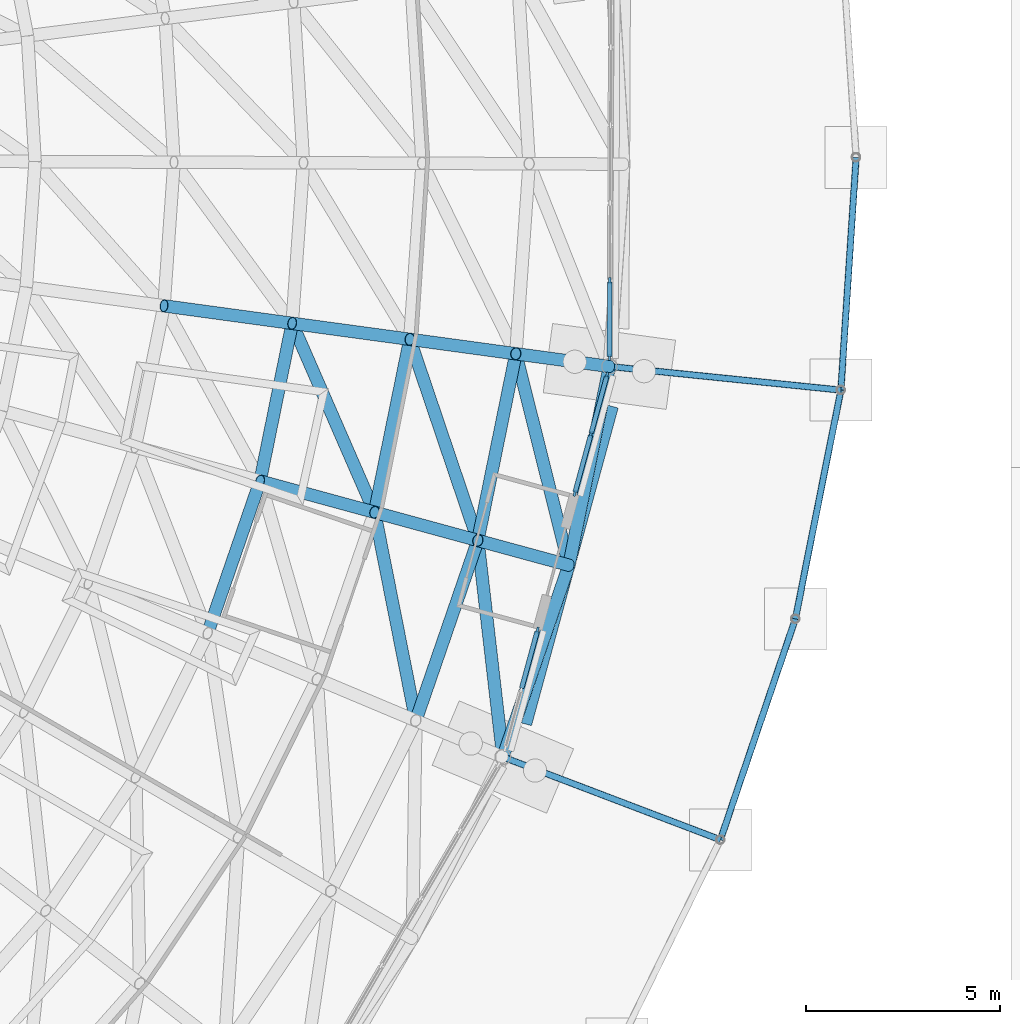
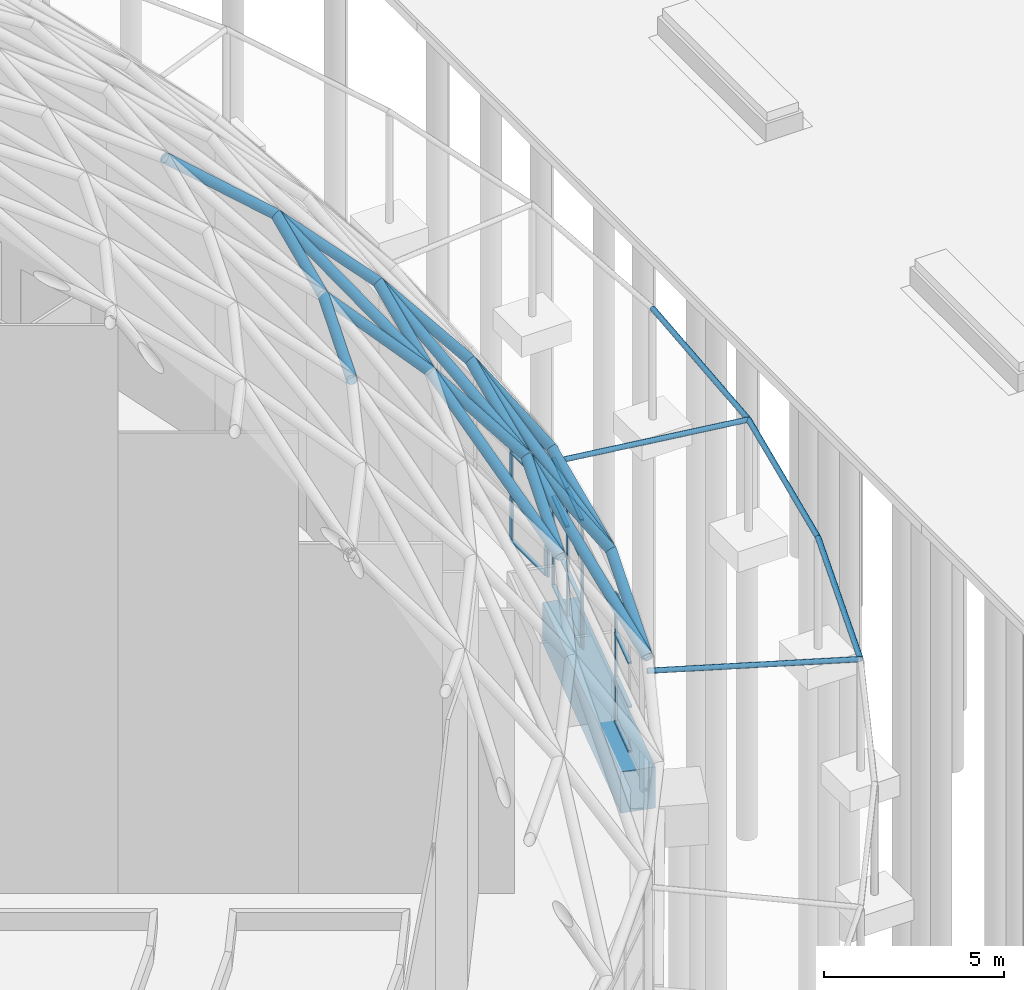
# One storey, part 106 of 226: 46 members, 1 beam, 3 elements without a shape of their own.
"""IFC4 building model written with IfcOpenShell, lengths in metres."""

from ifc_helpers import new_model, si_unit, direction, frame, origin, origin_2d, place, context, subcontext, project, spatial, rectangle, hollow_circle, extrude, material, material_profile, profile_set, type_object, element, aggregate, save


model = new_model("IFC4")

# Units and contexts
model_context = context("Model", 3, precision=1e-05, world=origin(), true_north=direction((0.0, 1.0)))
body_context = subcontext(model_context, "Body", "Model", "MODEL_VIEW")
ifc_project = project(units=[si_unit("LENGTHUNIT", "METRE"), si_unit("AREAUNIT", "SQUARE_METRE"), si_unit("VOLUMEUNIT", "CUBIC_METRE"), si_unit("PLANEANGLEUNIT", "RADIAN"), si_unit("MASSUNIT", "GRAM", prefix="KILO")], contexts=[model_context])

# Site, building, storey
site_placement = place(None, origin())
site = spatial("IfcSite", under=ifc_project, at=site_placement, CompositionType="ELEMENT")
building_placement = place(site_placement, origin())
building = spatial("IfcBuilding", under=site, at=building_placement, Name="Ceibo Conservatory and Research Tower", CompositionType="ELEMENT")
storey_placement = place(building_placement, origin())
storey = spatial("IfcBuildingStorey", under=building, at=storey_placement, Name="L00", CompositionType="ELEMENT", Elevation=0.0)

# Members
ifc_material_1 = material(Name="Steel ASTM A500 Gr C", Category="steel")
ifc_material_profile_1 = material_profile(ifc_material_1, hollow_circle(Radius=0.084228515625, WallThickness=0.007080078125, at=origin_2d()), Name="CHS 168.3x7.11")
ifc_profile_set_1 = profile_set([ifc_material_profile_1], Name="Steel ASTM A500 Gr C")
member_type_1 = type_object("IfcMemberType", Name="CHS 168.3x7.11", PredefinedType="NOTDEFINED", material=ifc_profile_set_1)
for number, where, z_axis, x_axis, name in (
    (1, (192.887939453125, 92.531494140625, 4.0), (0.933653860117, -0.355284931323, -0.045421218207), (0.355651991251, 0.934618457511, 0.0), "Brim brace bracket A-BK23"),
    (2, (195.634521484375, 102.60595703125, 4.0), (0.993795138681, -0.101528721294, -0.045421812888), (0.101633617672, 0.994821897507, 0.0), "Brim brace bracket A-BK24"),
):
    element("IfcMember", number, at=place(storey_placement, frame(where, z_axis=z_axis, x_axis=x_axis)), inside=storey, type_object=member_type_1, Name=name, PredefinedType="BRACE", context=body_context, shape_type="SweptSolid", body=[
        extrude(hollow_circle(Radius=0.084228515625, WallThickness=0.007080078125, at=origin_2d()), origin(), (0.0, 0.0, 1.0), 6.00927734375),
    ])
member_1_placement = place(storey_placement, frame((198.49853515625, 90.396484375, 3.72705078125), z_axis=(0.321431529671, 0.946928684606, -0.002799643467), x_axis=(-0.946932395643, 0.321432789369, 0.0)))
element("IfcMember", 3, at=member_1_placement, inside=storey, type_object=member_type_1, Name="Brim tip ring A-TR28", PredefinedType="CHORD", context=body_context, shape_type="SweptSolid", body=[
    extrude(hollow_circle(Radius=0.084228515625, WallThickness=0.007080078125, at=origin_2d()), origin(), (0.0, 0.0, 1.0), 6.01708984375),
])
member_2_placement = place(storey_placement, frame((200.4326171875, 96.09423828125, 3.710205078125), z_axis=(0.195077510829, 0.980783833043, 0.002799573263), x_axis=(-0.980787676566, 0.195078275304, 0.0)))
element("IfcMember", 4, at=member_2_placement, inside=storey, type_object=member_type_1, Name="Brim tip ring A-TR29", PredefinedType="CHORD", context=body_context, shape_type="SweptSolid", body=[
    extrude(hollow_circle(Radius=0.084228515625, WallThickness=0.007080078125, at=origin_2d()), origin(), (0.0, 0.0, 1.0), 6.017333984375),
])
member_3_placement = place(storey_placement, frame((201.6064453125, 101.995849609375, 3.72705078125), z_axis=(0.065406493625, 0.99785477526, -0.002799657606), x_axis=(-0.997858685917, 0.065406749957, 0.0)))
element("IfcMember", 5, at=member_3_placement, inside=storey, type_object=member_type_1, Name="Brim tip ring A-TR30", PredefinedType="CHORD", context=body_context, shape_type="SweptSolid", body=[
    extrude(hollow_circle(Radius=0.084228515625, WallThickness=0.007080078125, at=origin_2d()), origin(), (0.0, 0.0, 1.0), 6.01708984375),
])
ifc_material_profile_2 = material_profile(ifc_material_1, hollow_circle(Radius=0.161865234375, WallThickness=0.01025390625, at=origin_2d()), Name="CHS 323.9x10.31")
ifc_profile_set_2 = profile_set([ifc_material_profile_2], Name="Steel ASTM A500 Gr C")
member_type_2 = type_object("IfcMemberType", Name="CHS 323.9x10.31", PredefinedType="NOTDEFINED", material=ifc_profile_set_2)
for number, where, z_axis, x_axis, name in (
    (6, (190.64208984375, 93.472900390625, 8.115966796875), (0.325587943876, 0.945511761324, 0.0), (-0.945511761324, 0.325587943876, 0.0), "Gridshell member A-C02-45"),
    (7, (192.241943359375, 98.118896484375, 8.115966796875), (0.199430446925, 0.979911984231, 0.0), (-0.979911984231, 0.199430446925, 0.0), "Gridshell member A-C02-46"),
):
    element("IfcMember", number, at=place(storey_placement, frame(where, z_axis=z_axis, x_axis=x_axis)), inside=storey, type_object=member_type_2, Name=name, PredefinedType="CHORD", context=body_context, shape_type="SweptSolid", body=[
        extrude(hollow_circle(Radius=0.161865234375, WallThickness=0.01025390625, at=origin_2d()), origin(), (0.0, 0.0, 1.0), 4.913818359375),
    ])
member_4_placement = place(storey_placement, frame((189.5791015625, 98.844970703125, 11.489013671875), z_axis=(0.199404272229, 0.979917310908, 0.0), x_axis=(-0.979917310908, 0.199404272229, 0.0)))
element("IfcMember", 8, at=member_4_placement, inside=storey, type_object=member_type_2, Name="Gridshell member A-C03-46", PredefinedType="CHORD", context=body_context, shape_type="SweptSolid", body=[
    extrude(hollow_circle(Radius=0.161865234375, WallThickness=0.01025390625, at=origin_2d()), origin(), (0.0, 0.0, 1.0), 4.553466796875),
])
member_5_placement = place(storey_placement, frame((185.27294921875, 95.72509765625, 14.591064453125), z_axis=(0.325631863911, 0.945496636274, 0.0), x_axis=(-0.945496636274, 0.325631863911, 0.0)))
element("IfcMember", 9, at=member_5_placement, inside=storey, type_object=member_type_2, Name="Gridshell member A-C04-45", PredefinedType="CHORD", context=body_context, shape_type="SweptSolid", body=[
    extrude(hollow_circle(Radius=0.161865234375, WallThickness=0.01025390625, at=origin_2d()), origin(), (0.0, 0.0, 1.0), 4.152099609375),
])
member_6_placement = place(storey_placement, frame((186.625, 99.65087890625, 14.591064453125), z_axis=(0.19941730815, 0.979914658126, 0.0), x_axis=(-0.979914658126, 0.19941730815, 0.0)))
element("IfcMember", 10, at=member_6_placement, inside=storey, type_object=member_type_2, Name="Gridshell member A-C04-46", PredefinedType="CHORD", context=body_context, shape_type="SweptSolid", body=[
    extrude(hollow_circle(Radius=0.161865234375, WallThickness=0.01025390625, at=origin_2d()), origin(), (0.0, 0.0, 1.0), 4.151611328125),
])
ifc_material_profile_3 = material_profile(ifc_material_1, hollow_circle(Radius=0.161865234375, WallThickness=0.01416015625, at=origin_2d()), Name="CHS 323.9x14.27")
ifc_profile_set_3 = profile_set([ifc_material_profile_3], Name="Steel ASTM A500 Gr C")
member_type_3 = type_object("IfcMemberType", Name="CHS 323.9x14.27", PredefinedType="NOTDEFINED", material=ifc_profile_set_3)
member_7_placement = place(storey_placement, frame((194.591064453125, 97.47900390625, 4.5), z_axis=(-0.538882113124, 0.146789650644, 0.829493138379), x_axis=(-0.262820425453, -0.964844766771, 0.0)))
element("IfcMember", 11, at=member_7_placement, inside=storey, type_object=member_type_3, Name="Gridshell member A-M46-01", PredefinedType="RAFTER", context=body_context, shape_type="SweptSolid", body=[
    extrude(hollow_circle(Radius=0.161865234375, WallThickness=0.01416015625, at=origin_2d()), origin(), (0.0, 0.0, 1.0), 4.359130859375),
])
member_8_placement = place(storey_placement, frame((195.635009765625, 102.60595703125, 4.5), z_axis=(-0.553514448025, 0.075265420695, 0.829431656181), x_axis=(-0.134737406104, -0.990881340725, 0.0)))
element("IfcMember", 12, at=member_8_placement, inside=storey, type_object=member_type_3, Name="Gridshell member A-M47-01", PredefinedType="RAFTER", context=body_context, shape_type="SweptSolid", body=[
    extrude(hollow_circle(Radius=0.161865234375, WallThickness=0.01416015625, at=origin_2d()), origin(), (0.0, 0.0, 1.0), 4.359619140625),
])
for number, where, z_axis, x_axis, name in (
    (13, (192.241943359375, 98.118896484375, 8.115966796875), (-0.610972486053, 0.166593212939, 0.77392462339), (-0.263065012858, -0.964778108691, 0.0), "Gridshell member A-M46-02"),
    (14, (193.221923828125, 102.93408203125, 8.115966796875), (-0.627488302576, 0.085536032676, 0.773913442992), (-0.13506583893, -0.990836625864, 0.0), "Gridshell member A-M47-02"),
):
    element("IfcMember", number, at=place(storey_placement, frame(where, z_axis=z_axis, x_axis=x_axis)), inside=storey, type_object=member_type_3, Name=name, PredefinedType="RAFTER", context=body_context, shape_type="SweptSolid", body=[
        extrude(hollow_circle(Radius=0.161865234375, WallThickness=0.01416015625, at=origin_2d()), origin(), (0.0, 0.0, 1.0), 4.3583984375),
    ])
member_9_placement = place(storey_placement, frame((189.5791015625, 98.844970703125, 11.489013671875), z_axis=(-0.677736584451, 0.184893261593, 0.711679424962), x_axis=(-0.263191616058, -0.964743579008, 0.0)))
element("IfcMember", 15, at=member_9_placement, inside=storey, type_object=member_type_3, Name="Gridshell member A-M46-03", PredefinedType="RAFTER", context=body_context, shape_type="SweptSolid", body=[
    extrude(hollow_circle(Radius=0.161865234375, WallThickness=0.01416015625, at=origin_2d()), origin(), (0.0, 0.0, 1.0), 4.35888671875),
])
member_10_placement = place(storey_placement, frame((190.487060546875, 103.306884765625, 11.489013671875), z_axis=(-0.696110550504, 0.094547361543, 0.711681739194), x_axis=(-0.134586602615, -0.990901834894, 0.0)))
element("IfcMember", 16, at=member_10_placement, inside=storey, type_object=member_type_3, Name="Gridshell member A-M47-03", PredefinedType="RAFTER", context=body_context, shape_type="SweptSolid", body=[
    extrude(hollow_circle(Radius=0.161865234375, WallThickness=0.01416015625, at=origin_2d()), origin(), (0.0, 0.0, 1.0), 4.358642578125),
])
member_11_placement = place(storey_placement, frame((187.452880859375, 103.718994140625, 14.591064453125), z_axis=(-0.75863169602, 0.103447230901, 0.643254708659), x_axis=(-0.135109940387, -0.990830613177, 0.0)))
element("IfcMember", 17, at=member_11_placement, inside=storey, type_object=member_type_3, Name="Gridshell member A-M47-04", PredefinedType="RAFTER", context=body_context, shape_type="SweptSolid", body=[
    extrude(hollow_circle(Radius=0.161865234375, WallThickness=0.01416015625, at=origin_2d()), origin(), (0.0, 0.0, 1.0), 4.359130859375),
])
ifc_material_2 = material(Name="Steel S355J2H", Category="steel")
ifc_material_profile_4 = material_profile(ifc_material_2, hollow_circle(Radius=0.161865234375, WallThickness=0.025390625, at=origin_2d()), Name="CHS 323.9x25.40")
ifc_profile_set_4 = profile_set([ifc_material_profile_4], Name="Steel S355J2H")
member_type_4 = type_object("IfcMemberType", Name="CHS 323.9x25.40", PredefinedType="NOTDEFINED", material=ifc_profile_set_4)
member_12_placement = place(storey_placement, frame((192.887939453125, 92.531982421875, 4.5), z_axis=(0.325521830262, 0.945534525029, 0.0), x_axis=(-0.945534525029, 0.325521830262, 0.0)))
element("IfcMember", 18, at=member_12_placement, inside=storey, type_object=member_type_4, Name="Gridshell member A-C01-45", PredefinedType="CHORD", context=body_context, shape_type="SweptSolid", body=[
    extrude(hollow_circle(Radius=0.161865234375, WallThickness=0.025390625, at=origin_2d()), origin(), (0.0, 0.0, 1.0), 5.23193359375),
])
member_13_placement = place(storey_placement, frame((194.591064453125, 97.47900390625, 4.5), z_axis=(0.199524832644, 0.979892770235, 0.0), x_axis=(-0.979892770235, 0.199524832644, 0.0)))
element("IfcMember", 19, at=member_13_placement, inside=storey, type_object=member_type_4, Name="Gridshell member A-C01-46", PredefinedType="CHORD", context=body_context, shape_type="SweptSolid", body=[
    extrude(hollow_circle(Radius=0.161865234375, WallThickness=0.025390625, at=origin_2d()), origin(), (0.0, 0.0, 1.0), 5.232177734375),
])
ifc_material_profile_5 = material_profile(ifc_material_1, hollow_circle(Radius=0.161865234375, WallThickness=0.00830078125, at=origin_2d()), Name="CHS 323.9x8.38")
ifc_profile_set_5 = profile_set([ifc_material_profile_5], Name="Steel ASTM A500 Gr C")
member_type_5 = type_object("IfcMemberType", Name="CHS 323.9x8.38", PredefinedType="NOTDEFINED", material=ifc_profile_set_5)
for number, where, z_axis, x_axis, name in (
    (20, (192.887939453125, 92.531982421875, 4.5), (-0.096615393381, 0.835580749101, 0.540805212154), (-0.993381531076, -0.114861367384, 0.0), "Gridshell diagonal member A-D01-45"),
    (21, (194.591064453125, 97.47900390625, 4.5), (-0.204765689408, 0.815849601308, 0.540796117301), (-0.969917381458, -0.243434330255, 0.0), "Gridshell diagonal member A-D01-46"),
):
    element("IfcMember", number, at=place(storey_placement, frame(where, z_axis=z_axis, x_axis=x_axis)), inside=storey, type_object=member_type_5, Name=name, PredefinedType="BRACE", context=body_context, shape_type="SweptSolid", body=[
        extrude(hollow_circle(Radius=0.161865234375, WallThickness=0.00830078125, at=origin_2d()), origin(), (0.0, 0.0, 1.0), 6.686279296875),
    ])
member_14_placement = place(storey_placement, frame((190.64208984375, 93.472900390625, 8.115966796875), z_axis=(-0.165273771363, 0.835251278152, 0.524442449507), x_axis=(-0.980979860437, -0.194109539736, 0.0)))
element("IfcMember", 22, at=member_14_placement, inside=storey, type_object=member_type_5, Name="Gridshell diagonal member A-D02-45", PredefinedType="BRACE", context=body_context, shape_type="SweptSolid", body=[
    extrude(hollow_circle(Radius=0.161865234375, WallThickness=0.00830078125, at=origin_2d()), origin(), (0.0, 0.0, 1.0), 6.431640625),
])
member_15_placement = place(storey_placement, frame((192.241943359375, 98.118896484375, 8.115966796875), z_axis=(-0.272830793397, 0.806574062283, 0.524405987977), x_axis=(-0.947274267366, -0.320423879239, 0.0)))
element("IfcMember", 23, at=member_15_placement, inside=storey, type_object=member_type_5, Name="Gridshell diagonal member A-D02-46", PredefinedType="BRACE", context=body_context, shape_type="SweptSolid", body=[
    extrude(hollow_circle(Radius=0.161865234375, WallThickness=0.00830078125, at=origin_2d()), origin(), (0.0, 0.0, 1.0), 6.43212890625),
])
member_16_placement = place(storey_placement, frame((189.5791015625, 98.844970703125, 11.489013671875), z_axis=(-0.345374931427, 0.791717204158, 0.50388493268), x_axis=(-0.916582518113, -0.399845579555, 0.0)))
element("IfcMember", 24, at=member_16_placement, inside=storey, type_object=member_type_5, Name="Gridshell diagonal member A-D03-46", PredefinedType="BRACE", context=body_context, shape_type="SweptSolid", body=[
    extrude(hollow_circle(Radius=0.161865234375, WallThickness=0.00830078125, at=origin_2d()), origin(), (0.0, 0.0, 1.0), 6.15625),
])

# Curtain wall, member
ifc_material_3 = material(Name="Aluminium and glass", Category="aluminium")
curtain_wall_type = type_object("IfcCurtainWallType", Name="Drum curtain wall", PredefinedType="NOTDEFINED", material=ifc_material_3)
curtain_wall_1_placement = place(storey_placement, origin())
curtain_wall_1 = element("IfcCurtainWall", 25, at=curtain_wall_1_placement, inside=storey, type_object=curtain_wall_type, Name="Drum curtain wall A-CW23W", PredefinedType="NOTDEFINED")
ifc_material_4 = material(Name="Aluminium", Category="aluminium")
ifc_material_profile_6 = material_profile(ifc_material_4, rectangle(XDim=0.06005859375, YDim=0.159912109375, at=origin_2d()), Name="AL 60x160")
ifc_profile_set_6 = profile_set([ifc_material_profile_6], Name="Aluminium")
member_type_6 = type_object("IfcMemberType", Name="Drum mullion 60x160", PredefinedType="MULLION", material=ifc_profile_set_6)
member_17_placement = place(storey_placement, frame((193.780029296875, 95.80322265625, 0.0), z_axis=(0.0, 0.0, 1.0), x_axis=(-0.964787322837, 0.263031218095, 0.0)))
member_17 = element("IfcMember", 26, at=member_17_placement, type_object=member_type_6, Name="A-CW23W mullion 3", PredefinedType="MULLION", context=body_context, shape_type="SweptSolid", body=[
    extrude(rectangle(XDim=0.06005859375, YDim=0.159912109375, at=origin_2d()), origin(), (0.0, 0.0, 1.0), 4.338134765625),
])

# Curtain wall, members
curtain_wall_2_placement = place(storey_placement, origin())
curtain_wall_2 = element("IfcCurtainWall", 27, at=curtain_wall_2_placement, inside=storey, type_object=curtain_wall_type, Name="Drum curtain wall A-CW23E", PredefinedType="NOTDEFINED")
member_18_placement = place(storey_placement, frame((194.74267578125, 99.334228515625, 0.0), z_axis=(0.0, 0.0, 1.0), x_axis=(-0.964787322837, 0.263031218095, 0.0)))
member_18 = element("IfcMember", 28, at=member_18_placement, type_object=member_type_6, Name="A-CW23E mullion 1", PredefinedType="MULLION", context=body_context, shape_type="SweptSolid", body=[
    extrude(rectangle(XDim=0.06005859375, YDim=0.159912109375, at=origin_2d()), origin(), (0.0, 0.0, 1.0), 4.338134765625),
])
member_19_placement = place(storey_placement, frame((195.157958984375, 100.857666015625, 0.0), z_axis=(0.0, 0.0, 1.0), x_axis=(-0.964787322837, 0.263031218095, 0.0)))
member_19 = element("IfcMember", 29, at=member_19_placement, type_object=member_type_6, Name="A-CW23E mullion 2", PredefinedType="MULLION", context=body_context, shape_type="SweptSolid", body=[
    extrude(rectangle(XDim=0.06005859375, YDim=0.159912109375, at=origin_2d()), origin(), (0.0, 0.0, 1.0), 4.338134765625),
])
member_20_placement = place(storey_placement, frame((195.5732421875, 102.380859375, 0.0), z_axis=(0.0, 0.0, 1.0), x_axis=(-0.964787322837, 0.263031218095, 0.0)))
member_20 = element("IfcMember", 30, at=member_20_placement, type_object=member_type_6, Name="A-CW23E mullion 3", PredefinedType="MULLION", context=body_context, shape_type="SweptSolid", body=[
    extrude(rectangle(XDim=0.06005859375, YDim=0.159912109375, at=origin_2d()), origin(), (0.0, 0.0, 1.0), 4.338134765625),
])

curtain_wall_3_placement = place(storey_placement, origin())
curtain_wall_3 = element("IfcCurtainWall", 31, at=curtain_wall_3_placement, inside=storey, type_object=curtain_wall_type, Name="Drum curtain wall A-CW24", PredefinedType="NOTDEFINED")
member_21_placement = place(storey_placement, frame((195.6357421875, 102.839111328125, 0.0), z_axis=(0.0, 0.0, 1.0), x_axis=(-0.999990480759, 0.004363300488, 0.0)))
member_21 = element("IfcMember", 32, at=member_21_placement, type_object=member_type_6, Name="A-CW24 mullion 1", PredefinedType="MULLION", context=body_context, shape_type="SweptSolid", body=[
    extrude(rectangle(XDim=0.06005859375, YDim=0.159912109375, at=origin_2d()), origin(), (0.0, 0.0, 1.0), 4.338134765625),
])
member_22_placement = place(storey_placement, frame((195.644287109375, 104.816162109375, 0.0), z_axis=(0.0, 0.0, 1.0), x_axis=(-0.999990480759, 0.004363300488, 0.0)))
member_22 = element("IfcMember", 33, at=member_22_placement, type_object=member_type_6, Name="A-CW24 mullion 2", PredefinedType="MULLION", context=body_context, shape_type="SweptSolid", body=[
    extrude(rectangle(XDim=0.06005859375, YDim=0.159912109375, at=origin_2d()), origin(), (0.0, 0.0, 1.0), 4.338134765625),
])

# Member
ifc_material_profile_7 = material_profile(ifc_material_4, rectangle(XDim=0.1201171875, YDim=0.06005859375, at=origin_2d()), Name="AL 60x120")
ifc_profile_set_7 = profile_set([ifc_material_profile_7], Name="Aluminium")
member_type_7 = type_object("IfcMemberType", Name="Drum transom 60x120", PredefinedType="USERDEFINED", material=ifc_profile_set_7)
member_23_placement = place(storey_placement, frame((193.37255859375, 94.308837890625, 0.030029296875), z_axis=(0.263131006824, 0.964760111763, 0.0), x_axis=(-0.964760111763, 0.263131006824, 0.0)))
member_23 = element("IfcMember", 34, at=member_23_placement, type_object=member_type_7, Name="A-CW23W transom 2.1", ObjectType="TRANSOM", PredefinedType="USERDEFINED", context=body_context, shape_type="SweptSolid", body=[
    extrude(rectangle(XDim=0.1201171875, YDim=0.06005859375, at=origin_2d()), origin(), (0.0, 0.0, 1.0), 1.518798828125),
])

member_24_placement = place(storey_placement, frame((193.37255859375, 94.308837890625, 1.530029296875), z_axis=(0.263131006824, 0.964760111763, 0.0), x_axis=(-0.964760111763, 0.263131006824, 0.0)))
member_24 = element("IfcMember", 35, at=member_24_placement, type_object=member_type_7, Name="A-CW23W transom 2.2", ObjectType="TRANSOM", PredefinedType="USERDEFINED", context=body_context, shape_type="SweptSolid", body=[
    extrude(rectangle(XDim=0.1201171875, YDim=0.06005859375, at=origin_2d()), origin(), (0.0, 0.0, 1.0), 1.518798828125),
])

member_25_placement = place(storey_placement, frame((193.37255859375, 94.308837890625, 3.014892578125), z_axis=(0.263131006824, 0.964760111763, 0.0), x_axis=(-0.964760111763, 0.263131006824, 0.0)))
member_25 = element("IfcMember", 36, at=member_25_placement, type_object=member_type_7, Name="A-CW23W transom 2.3", ObjectType="TRANSOM", PredefinedType="USERDEFINED", context=body_context, shape_type="SweptSolid", body=[
    extrude(rectangle(XDim=0.1201171875, YDim=0.06005859375, at=origin_2d()), origin(), (0.0, 0.0, 1.0), 1.518798828125),
])

member_26_placement = place(storey_placement, frame((193.37255859375, 94.308837890625, 4.30810546875), z_axis=(0.263131006824, 0.964760111763, 0.0), x_axis=(-0.964760111763, 0.263131006824, 0.0)))
member_26 = element("IfcMember", 37, at=member_26_placement, type_object=member_type_7, Name="A-CW23W transom 2.4", ObjectType="TRANSOM", PredefinedType="USERDEFINED", context=body_context, shape_type="SweptSolid", body=[
    extrude(rectangle(XDim=0.1201171875, YDim=0.06005859375, at=origin_2d()), origin(), (0.0, 0.0, 1.0), 1.518798828125),
])

aggregate(curtain_wall_1, [member_17, member_23, member_24, member_25, member_26])

member_27_placement = place(storey_placement, frame((194.75048828125, 99.36328125, 0.030029296875), z_axis=(0.263131006824, 0.964760111763, 0.0), x_axis=(-0.964760111763, 0.263131006824, 0.0)))
member_27 = element("IfcMember", 38, at=member_27_placement, type_object=member_type_7, Name="A-CW23E transom 1.1", ObjectType="TRANSOM", PredefinedType="USERDEFINED", context=body_context, shape_type="SweptSolid", body=[
    extrude(rectangle(XDim=0.1201171875, YDim=0.06005859375, at=origin_2d()), origin(), (0.0, 0.0, 1.0), 1.518798828125),
])

member_28_placement = place(storey_placement, frame((194.75048828125, 99.36328125, 1.530029296875), z_axis=(0.263131006824, 0.964760111763, 0.0), x_axis=(-0.964760111763, 0.263131006824, 0.0)))
member_28 = element("IfcMember", 39, at=member_28_placement, type_object=member_type_7, Name="A-CW23E transom 1.2", ObjectType="TRANSOM", PredefinedType="USERDEFINED", context=body_context, shape_type="SweptSolid", body=[
    extrude(rectangle(XDim=0.1201171875, YDim=0.06005859375, at=origin_2d()), origin(), (0.0, 0.0, 1.0), 1.518798828125),
])

member_29_placement = place(storey_placement, frame((194.75048828125, 99.36328125, 3.014892578125), z_axis=(0.263131006824, 0.964760111763, 0.0), x_axis=(-0.964760111763, 0.263131006824, 0.0)))
member_29 = element("IfcMember", 40, at=member_29_placement, type_object=member_type_7, Name="A-CW23E transom 1.3", ObjectType="TRANSOM", PredefinedType="USERDEFINED", context=body_context, shape_type="SweptSolid", body=[
    extrude(rectangle(XDim=0.1201171875, YDim=0.06005859375, at=origin_2d()), origin(), (0.0, 0.0, 1.0), 1.518798828125),
])

member_30_placement = place(storey_placement, frame((194.75048828125, 99.36328125, 4.30810546875), z_axis=(0.263131006824, 0.964760111763, 0.0), x_axis=(-0.964760111763, 0.263131006824, 0.0)))
member_30 = element("IfcMember", 41, at=member_30_placement, type_object=member_type_7, Name="A-CW23E transom 1.4", ObjectType="TRANSOM", PredefinedType="USERDEFINED", context=body_context, shape_type="SweptSolid", body=[
    extrude(rectangle(XDim=0.1201171875, YDim=0.06005859375, at=origin_2d()), origin(), (0.0, 0.0, 1.0), 1.518798828125),
])

member_31_placement = place(storey_placement, frame((195.165771484375, 100.886474609375, 0.030029296875), z_axis=(0.26309020779, 0.964771238463, 0.0), x_axis=(-0.964771238463, 0.26309020779, 0.0)))
member_31 = element("IfcMember", 42, at=member_31_placement, type_object=member_type_7, Name="A-CW23E transom 2.1", ObjectType="TRANSOM", PredefinedType="USERDEFINED", context=body_context, shape_type="SweptSolid", body=[
    extrude(rectangle(XDim=0.1201171875, YDim=0.06005859375, at=origin_2d()), origin(), (0.0, 0.0, 1.0), 1.51904296875),
])

member_32_placement = place(storey_placement, frame((195.165771484375, 100.886474609375, 1.530029296875), z_axis=(0.26309020779, 0.964771238463, 0.0), x_axis=(-0.964771238463, 0.26309020779, 0.0)))
member_32 = element("IfcMember", 43, at=member_32_placement, type_object=member_type_7, Name="A-CW23E transom 2.2", ObjectType="TRANSOM", PredefinedType="USERDEFINED", context=body_context, shape_type="SweptSolid", body=[
    extrude(rectangle(XDim=0.1201171875, YDim=0.06005859375, at=origin_2d()), origin(), (0.0, 0.0, 1.0), 1.51904296875),
])

member_33_placement = place(storey_placement, frame((195.165771484375, 100.886474609375, 3.014892578125), z_axis=(0.26309020779, 0.964771238463, 0.0), x_axis=(-0.964771238463, 0.26309020779, 0.0)))
member_33 = element("IfcMember", 44, at=member_33_placement, type_object=member_type_7, Name="A-CW23E transom 2.3", ObjectType="TRANSOM", PredefinedType="USERDEFINED", context=body_context, shape_type="SweptSolid", body=[
    extrude(rectangle(XDim=0.1201171875, YDim=0.06005859375, at=origin_2d()), origin(), (0.0, 0.0, 1.0), 1.51904296875),
])

member_34_placement = place(storey_placement, frame((195.165771484375, 100.886474609375, 4.30810546875), z_axis=(0.26309020779, 0.964771238463, 0.0), x_axis=(-0.964771238463, 0.26309020779, 0.0)))
member_34 = element("IfcMember", 45, at=member_34_placement, type_object=member_type_7, Name="A-CW23E transom 2.4", ObjectType="TRANSOM", PredefinedType="USERDEFINED", context=body_context, shape_type="SweptSolid", body=[
    extrude(rectangle(XDim=0.1201171875, YDim=0.06005859375, at=origin_2d()), origin(), (0.0, 0.0, 1.0), 1.51904296875),
])

aggregate(curtain_wall_2, [member_18, member_19, member_20, member_27, member_28, member_29, member_30, member_31, member_32, member_33, member_34])

member_35_placement = place(storey_placement, frame((195.6357421875, 102.869140625, 0.030029296875), z_axis=(0.004329515006, 0.999990627606, 0.0), x_axis=(-0.999990627606, 0.004329515006, 0.0)))
member_35 = element("IfcMember", 46, at=member_35_placement, type_object=member_type_7, Name="A-CW24 transom 1.1", ObjectType="TRANSOM", PredefinedType="USERDEFINED", context=body_context, shape_type="SweptSolid", body=[
    extrude(rectangle(XDim=0.1201171875, YDim=0.06005859375, at=origin_2d()), origin(), (0.0, 0.0, 1.0), 1.917236328125),
])

member_36_placement = place(storey_placement, frame((195.6357421875, 102.869140625, 1.530029296875), z_axis=(0.004329515006, 0.999990627606, 0.0), x_axis=(-0.999990627606, 0.004329515006, 0.0)))
member_36 = element("IfcMember", 47, at=member_36_placement, type_object=member_type_7, Name="A-CW24 transom 1.2", ObjectType="TRANSOM", PredefinedType="USERDEFINED", context=body_context, shape_type="SweptSolid", body=[
    extrude(rectangle(XDim=0.1201171875, YDim=0.06005859375, at=origin_2d()), origin(), (0.0, 0.0, 1.0), 1.917236328125),
])

member_37_placement = place(storey_placement, frame((195.6357421875, 102.869140625, 3.014892578125), z_axis=(0.004329515006, 0.999990627606, 0.0), x_axis=(-0.999990627606, 0.004329515006, 0.0)))
member_37 = element("IfcMember", 48, at=member_37_placement, type_object=member_type_7, Name="A-CW24 transom 1.3", ObjectType="TRANSOM", PredefinedType="USERDEFINED", context=body_context, shape_type="SweptSolid", body=[
    extrude(rectangle(XDim=0.1201171875, YDim=0.06005859375, at=origin_2d()), origin(), (0.0, 0.0, 1.0), 1.917236328125),
])

member_38_placement = place(storey_placement, frame((195.6357421875, 102.869140625, 4.30810546875), z_axis=(0.004329515006, 0.999990627606, 0.0), x_axis=(-0.999990627606, 0.004329515006, 0.0)))
member_38 = element("IfcMember", 49, at=member_38_placement, type_object=member_type_7, Name="A-CW24 transom 1.4", ObjectType="TRANSOM", PredefinedType="USERDEFINED", context=body_context, shape_type="SweptSolid", body=[
    extrude(rectangle(XDim=0.1201171875, YDim=0.06005859375, at=origin_2d()), origin(), (0.0, 0.0, 1.0), 1.917236328125),
])

aggregate(curtain_wall_3, [member_21, member_22, member_35, member_36, member_37, member_38])

# Beam
ifc_material_5 = material(Name="Concrete C35/45", Category="concrete")
ifc_material_profile_8 = material_profile(ifc_material_5, rectangle(XDim=1.0, YDim=1.39990234375, at=origin_2d()), Name="RC 1000x1400")
ifc_profile_set_8 = profile_set([ifc_material_profile_8], Name="Concrete C35/45")
beam_type = type_object("IfcBeamType", Name="RC ring beam 1000x1400", PredefinedType="BEAM", material=ifc_profile_set_8)
beam_placement = place(storey_placement, frame((193.144287109375, 93.471923828125, -0.699951171875), z_axis=(0.263029838659, 0.964787698914, 0.0), x_axis=(-0.964787698914, 0.263029838659, 0.0)))
element("IfcBeam", 50, at=beam_placement, inside=storey, type_object=beam_type, Name="Drum ring beam A-RB23", PredefinedType="BEAM", context=body_context, shape_type="SweptSolid", body=[
    extrude(rectangle(XDim=1.0, YDim=1.39990234375, at=origin_2d()), origin(), (0.0, 0.0, 1.0), 8.492919921875),
])

save(model, "model.ifc")
